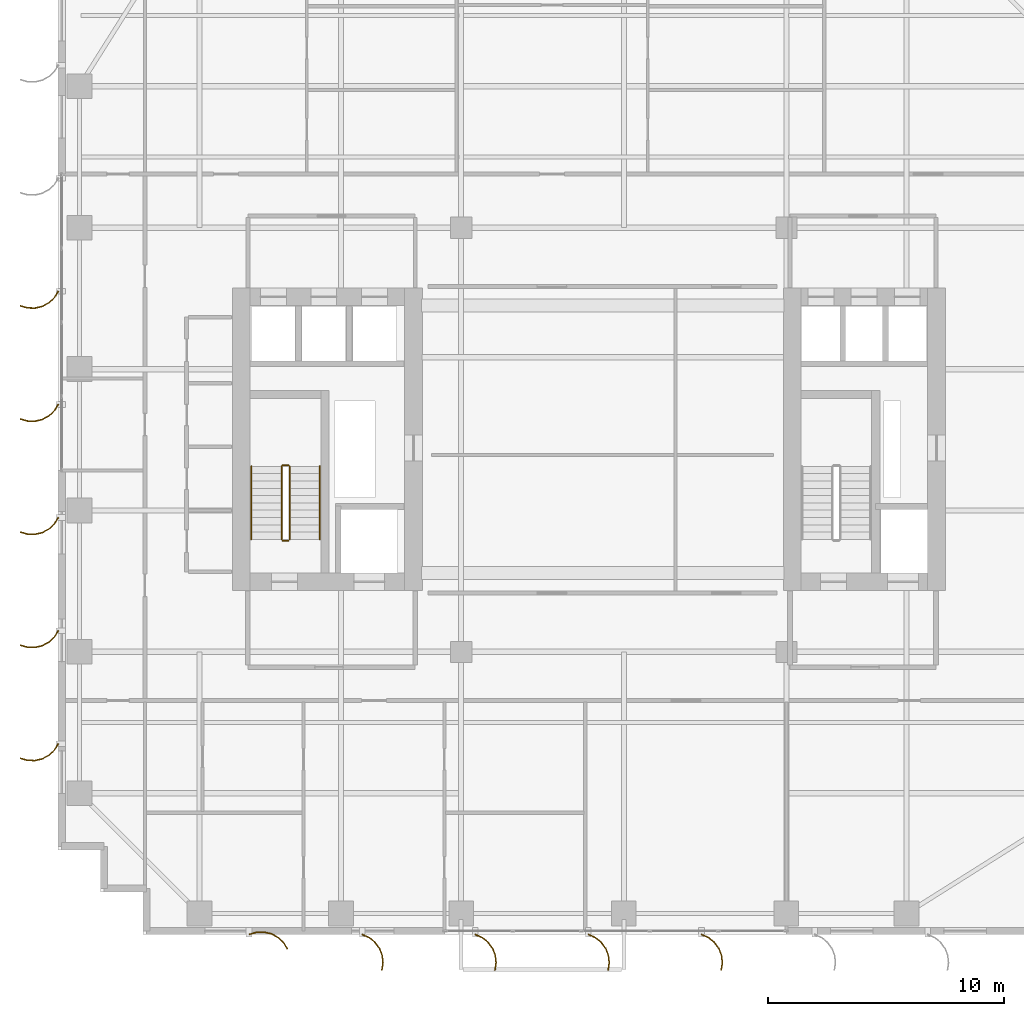
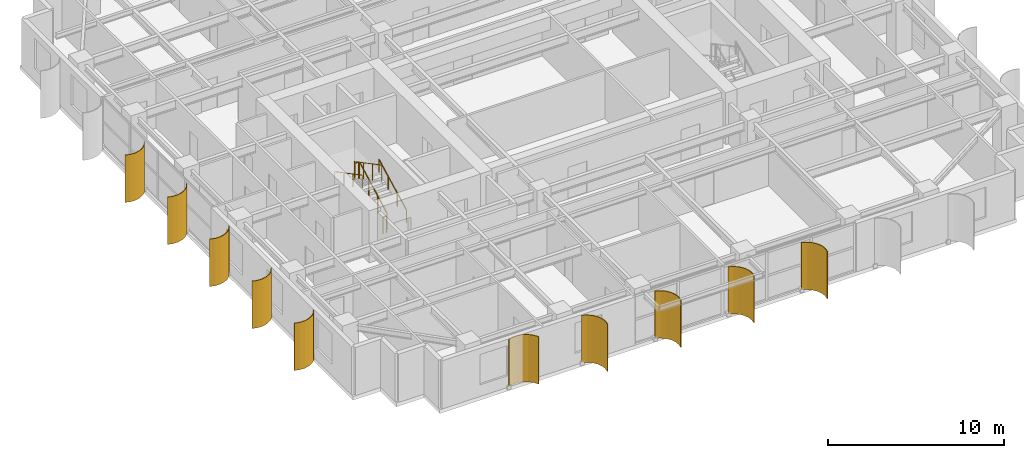
# One storey, part 21 of 23: 10 shading devices, 6 railings.
"""IFC4 building model written with IfcOpenShell, lengths in metres."""

from ifc_helpers import new_model, si_unit, direction, frame, origin, origin_2d, place, context, subcontext, project, spatial, polyline, circle, outline, extrude, source, transform, mapped, material, layer, layer_set, type_object, element, save


model = new_model("IFC4")

# Units and contexts
model_context = context("Model", 3, precision=1e-05, world=origin(), true_north=direction((0.0, 1.0)))
body_context = subcontext(model_context, "Body", "Model", "MODEL_VIEW")
ifc_project = project(units=[si_unit("LENGTHUNIT", "METRE"), si_unit("AREAUNIT", "SQUARE_METRE"), si_unit("VOLUMEUNIT", "CUBIC_METRE"), si_unit("PLANEANGLEUNIT", "RADIAN"), si_unit("MASSUNIT", "GRAM", prefix="KILO")], contexts=[model_context])

# Site, building, storey
site_placement = place(None, origin())
site = spatial("IfcSite", under=ifc_project, at=site_placement, CompositionType="ELEMENT")
building_placement = place(site_placement, origin())
building = spatial("IfcBuilding", under=site, at=building_placement, Name="Khoralis Quay Care Tower", CompositionType="ELEMENT")
storey_placement = place(building_placement, frame((0.0, 0.0, 119.699951171875)))
storey = spatial("IfcBuildingStorey", under=building, at=storey_placement, Name="L31", CompositionType="ELEMENT", Elevation=119.699951171875)

# Railings
ifc_material_1 = material(Name="Brushed stainless steel", Category="steel")
railing_type_1 = type_object("IfcRailingType", Name="RL-GUARD-1150", PredefinedType="GUARDRAIL", material=ifc_material_1)
railing_1_placement = place(storey_placement, frame((9.820068359375, 16.77001953125, 0.16357421875)))
element("IfcRailing", 1, at=railing_1_placement, inside=storey, type_object=railing_type_1, Name="L31 ST-T1 stair guard 1", PredefinedType="GUARDRAIL", context=body_context, shape_type="SweptSolid", body=[
    extrude(circle(Radius=0.02392578125, at=origin_2d()), frame((0.0, 0.0, 1.1259765625), z_axis=(0.0, 0.884348015382, 0.466828220752), x_axis=(-1.0, 0.0, 0.0)), (0.0, 0.0, 1.0), 3.505615234375),
    extrude(circle(Radius=0.02099609375, at=origin_2d()), origin(), (0.0, 0.0, 1.0), 1.101806640625),
    extrude(circle(Radius=0.02099609375, at=origin_2d()), frame((0.0, 1.033447265625, 0.54541015625)), (0.0, 0.0, 1.0), 1.101806640625),
    extrude(circle(Radius=0.02099609375, at=origin_2d()), frame((0.0, 2.066650390625, 1.091064453125)), (0.0, 0.0, 1.0), 1.101806640625),
    extrude(circle(Radius=0.02099609375, at=origin_2d()), frame((0.0, 3.10009765625, 1.636474609375)), (0.0, 0.0, 1.0), 1.101806640625),
])
railing_2_placement = place(storey_placement, frame((9.77001953125, 19.919921875, 1.800048828125)))
element("IfcRailing", 2, at=railing_2_placement, inside=storey, type_object=railing_type_1, Name="L31 ST-T1 stair guard 2", PredefinedType="GUARDRAIL", context=body_context, shape_type="SweptSolid", body=[
    extrude(circle(Radius=0.02392578125, at=origin_2d()), frame((0.0, 0.0, 1.1259765625), z_axis=(-1.0, 0.0, 0.0), x_axis=(0.0, -1.0, 0.0)), (0.0, 0.0, 1.0), 0.239990234375),
    extrude(circle(Radius=0.02099609375, at=origin_2d()), origin(), (0.0, 0.0, 1.0), 1.101806640625),
    extrude(circle(Radius=0.02099609375, at=origin_2d()), frame((-0.239990234375, 0.0, 0.0)), (0.0, 0.0, 1.0), 1.101806640625),
])
railing_3_placement = place(storey_placement, frame((9.47998046875, 19.8701171875, 1.963623046875)))
element("IfcRailing", 3, at=railing_3_placement, inside=storey, type_object=railing_type_1, Name="L31 ST-T1 stair guard 3", PredefinedType="GUARDRAIL", context=body_context, shape_type="SweptSolid", body=[
    extrude(circle(Radius=0.02392578125, at=origin_2d()), frame((0.0, 0.0, 1.1259765625), z_axis=(0.0, -0.884348015382, 0.466828220752), x_axis=(1.0, 0.0, 0.0)), (0.0, 0.0, 1.0), 3.505615234375),
    extrude(circle(Radius=0.02099609375, at=origin_2d()), origin(), (0.0, 0.0, 1.0), 1.101806640625),
    extrude(circle(Radius=0.02099609375, at=origin_2d()), frame((0.0, -1.033447265625, 0.54541015625)), (0.0, 0.0, 1.0), 1.101806640625),
    extrude(circle(Radius=0.02099609375, at=origin_2d()), frame((0.0, -2.066650390625, 1.091064453125)), (0.0, 0.0, 1.0), 1.101806640625),
    extrude(circle(Radius=0.02099609375, at=origin_2d()), frame((0.0, -3.10009765625, 1.636474609375)), (0.0, 0.0, 1.0), 1.101806640625),
])
railing_4_placement = place(storey_placement, frame((9.77001953125, 16.719970703125, 0.0)))
element("IfcRailing", 4, at=railing_4_placement, inside=storey, type_object=railing_type_1, Name="L31 ST-T1 stair guard 4", PredefinedType="GUARDRAIL", context=body_context, shape_type="SweptSolid", body=[
    extrude(circle(Radius=0.02392578125, at=origin_2d()), frame((0.0, 0.0, 1.1259765625), z_axis=(-1.0, 0.0, 0.0), x_axis=(0.0, -1.0, 0.0)), (0.0, 0.0, 1.0), 0.239990234375),
    extrude(circle(Radius=0.02099609375, at=origin_2d()), origin(), (0.0, 0.0, 1.0), 1.101806640625),
    extrude(circle(Radius=0.02099609375, at=origin_2d()), frame((-0.239990234375, 0.0, 0.0)), (0.0, 0.0, 1.0), 1.101806640625),
])
railing_type_2 = type_object("IfcRailingType", Name="RL-HAND-900", PredefinedType="HANDRAIL", material=ifc_material_1)
railing_5_placement = place(storey_placement, frame((11.10009765625, 16.77001953125, 0.16357421875)))
element("IfcRailing", 5, at=railing_5_placement, inside=storey, type_object=railing_type_2, Name="L31 ST-T1 stair handrail 1", PredefinedType="HANDRAIL", context=body_context, shape_type="SweptSolid", body=[
    extrude(circle(Radius=0.02392578125, at=origin_2d()), frame((0.0, 0.0, 0.8759765625), z_axis=(0.0, 0.884348015382, 0.466828220752), x_axis=(-1.0, 0.0, 0.0)), (0.0, 0.0, 1.0), 3.505615234375),
    extrude(circle(Radius=0.02099609375, at=origin_2d()), origin(), (0.0, 0.0, 1.0), 0.851806640625),
    extrude(circle(Radius=0.02099609375, at=origin_2d()), frame((0.0, 1.033447265625, 0.54541015625)), (0.0, 0.0, 1.0), 0.851806640625),
    extrude(circle(Radius=0.02099609375, at=origin_2d()), frame((0.0, 2.066650390625, 1.091064453125)), (0.0, 0.0, 1.0), 0.851806640625),
    extrude(circle(Radius=0.02099609375, at=origin_2d()), frame((0.0, 3.10009765625, 1.636474609375)), (0.0, 0.0, 1.0), 0.851806640625),
])
railing_6_placement = place(storey_placement, frame((8.199951171875, 19.8701171875, 1.963623046875)))
element("IfcRailing", 6, at=railing_6_placement, inside=storey, type_object=railing_type_2, Name="L31 ST-T1 stair handrail 2", PredefinedType="HANDRAIL", context=body_context, shape_type="SweptSolid", body=[
    extrude(circle(Radius=0.02392578125, at=origin_2d()), frame((0.0, 0.0, 0.8759765625), z_axis=(0.0, -0.884348015382, 0.466828220752), x_axis=(1.0, 0.0, 0.0)), (0.0, 0.0, 1.0), 3.505615234375),
    extrude(circle(Radius=0.02099609375, at=origin_2d()), origin(), (0.0, 0.0, 1.0), 0.851806640625),
    extrude(circle(Radius=0.02099609375, at=origin_2d()), frame((0.0, -1.033447265625, 0.54541015625)), (0.0, 0.0, 1.0), 0.851806640625),
    extrude(circle(Radius=0.02099609375, at=origin_2d()), frame((0.0, -2.066650390625, 1.091064453125)), (0.0, 0.0, 1.0), 0.851806640625),
    extrude(circle(Radius=0.02099609375, at=origin_2d()), frame((0.0, -3.10009765625, 1.636474609375)), (0.0, 0.0, 1.0), 0.851806640625),
])

# Shading devices
ifc_material_2 = material(Name="Brushed pale anodised aluminium", Category="aluminium")
ifc_layer = layer(ifc_material_2, 0.044921875)
ifc_layer_set = layer_set([ifc_layer], Name="Brushed pale anodised aluminium")
shading_device_type = type_object("IfcShadingDeviceType", Name="SHD-FIN-1250", PredefinedType="USERDEFINED", material=ifc_layer_set)
shared_shape_1 = source(origin(), body_context, "Body", "SweptSolid", [
    extrude(outline(polyline([(0.0, 0.0), (0.17041015625, 0.2783203125), (0.4072265625, 0.5029296875), (0.694091796875, 0.658447265625), (1.01123046875, 0.734619140625), (1.33740234375, 0.72607421875), (1.650390625, 0.633544921875), (1.632080078125, 0.59228515625), (1.330322265625, 0.681640625), (1.015869140625, 0.68994140625), (0.710205078125, 0.616455078125), (0.43359375, 0.466552734375), (0.20556640625, 0.25), (0.041015625, -0.018310546875), (0.0, 0.0)])), origin(), (0.0, 0.0, 1.0), 3.280029296875),
])
for number, where, z_axis, x_axis, name in (
    (7, (0.030029296875, 27.300048828125, 0.02001953125), (0.0, 0.0, 1.0), (-1.0, 0.0, 0.0), "L31 Curved Solar Fin P1E15-03"),
    (8, (0.030029296875, 22.5, 0.02001953125), (0.0, 0.0, 1.0), (-1.0, 0.0, 0.0), "L31 Curved Solar Fin P1E15-04"),
    (9, (0.030029296875, 17.699951171875, 0.02001953125), (0.0, 0.0, 1.0), (-1.0, 0.0, 0.0), "L31 Curved Solar Fin P1E15-05"),
    (10, (0.030029296875, 12.89990234375, 0.02001953125), (0.0, 0.0, 1.0), (-1.0, 0.0, 0.0), "L31 Curved Solar Fin P1E15-06"),
    (11, (0.030029296875, 8.10009765625, 0.02001953125), (0.0, 0.0, 1.0), (-1.0, 0.0, 0.0), "L31 Curved Solar Fin P1E15-07"),
):
    element("IfcShadingDevice", number, at=place(storey_placement, frame(where, z_axis=z_axis, x_axis=x_axis)), inside=storey, type_object=shading_device_type, Name=name, ObjectType="FIN", PredefinedType="USERDEFINED", context=body_context, shape_type="MappedRepresentation", body=[
        mapped(shared_shape_1, transform((0.0, 0.0, 0.0), scale=1.0)),
    ])
shared_shape_2 = source(origin(), body_context, "Body", "SweptSolid", [
    extrude(outline(polyline([(0.0, 0.0), (-0.0927734375, 0.31298828125), (-0.101318359375, 0.63916015625), (-0.025146484375, 0.956298828125), (0.130615234375, 1.2431640625), (0.355224609375, 1.479736328125), (0.633544921875, 1.650390625), (0.65185546875, 1.609130859375), (0.383544921875, 1.44482421875), (0.1669921875, 1.216796875), (0.01708984375, 0.940185546875), (-0.056396484375, 0.63427734375), (-0.04833984375, 0.31982421875), (0.041015625, 0.018310546875), (0.0, 0.0)])), origin(), (0.0, 0.0, 1.0), 3.280029296875),
])
shading_device_placement = place(storey_placement, frame((8.10009765625, 0.030029296875, 0.02001953125), z_axis=(0.0, 0.0, 1.0), x_axis=(0.0, -1.0, 0.0)))
element("IfcShadingDevice", 12, at=shading_device_placement, inside=storey, type_object=shading_device_type, Name="L31 Curved Solar Fin P1E0-01", ObjectType="FIN", PredefinedType="USERDEFINED", context=body_context, shape_type="MappedRepresentation", body=[
    mapped(shared_shape_2, transform((0.0, 0.0, 0.0), scale=1.0)),
])
shared_shape_3 = source(origin(), body_context, "Body", "SweptSolid", [
    extrude(outline(polyline([(0.0, 0.0), (0.130126953125, 0.29931640625), (0.333251953125, 0.5546875), (0.595458984375, 0.748779296875), (0.899169921875, 0.868408203125), (1.223388671875, 0.9052734375), (1.546142578125, 0.85693359375), (1.53369140625, 0.813720703125), (1.22265625, 0.8603515625), (0.91015625, 0.82470703125), (0.617431640625, 0.70947265625), (0.364501953125, 0.522216796875), (0.168701171875, 0.276123046875), (0.043212890625, -0.012451171875), (0.0, 0.0)])), origin(), (0.0, 0.0, 1.0), 3.280029296875),
])
for number, where, z_axis, x_axis, name in (
    (13, (12.89990234375, 0.030029296875, 0.02001953125), (0.0, 0.0, 1.0), (0.0, -1.0, 0.0), "L31 Curved Solar Fin P1E0-02"),
    (14, (17.699951171875, 0.030029296875, 0.02001953125), (0.0, 0.0, 1.0), (0.0, -1.0, 0.0), "L31 Curved Solar Fin P1E0-03"),
    (15, (22.5, 0.030029296875, 0.02001953125), (0.0, 0.0, 1.0), (0.0, -1.0, 0.0), "L31 Curved Solar Fin P1E0-04"),
    (16, (27.300048828125, 0.030029296875, 0.02001953125), (0.0, 0.0, 1.0), (0.0, -1.0, 0.0), "L31 Curved Solar Fin P1E0-05"),
):
    element("IfcShadingDevice", number, at=place(storey_placement, frame(where, z_axis=z_axis, x_axis=x_axis)), inside=storey, type_object=shading_device_type, Name=name, ObjectType="FIN", PredefinedType="USERDEFINED", context=body_context, shape_type="MappedRepresentation", body=[
        mapped(shared_shape_3, transform((0.0, 0.0, 0.0), scale=1.0)),
    ])

save(model, "model.ifc")
